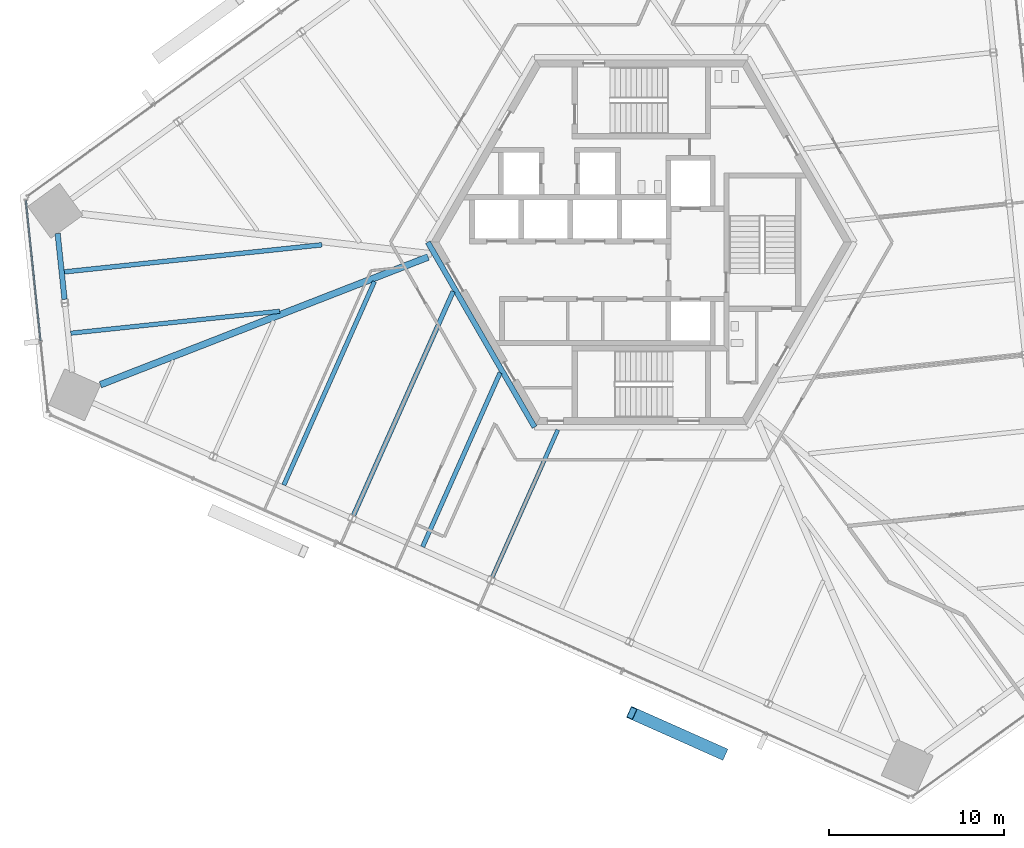
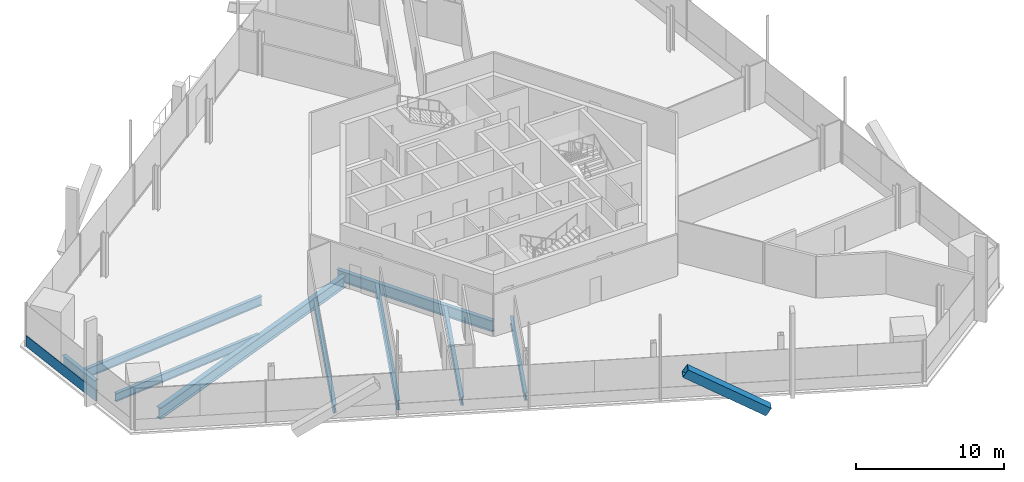
# One storey, part 4 of 21: 9 beams, 2 members, 1 element without a shape of its own.
"""IFC4 building model written with IfcOpenShell, lengths in metres."""

from ifc_helpers import new_model, si_unit, direction, frame, origin, origin_2d, place, context, subcontext, project, spatial, rectangle, hollow_rectangle, i_section, extrude, source, transform, mapped, material, material_profile, profile_set, type_object, element, aggregate, save


model = new_model("IFC4")

# Units and contexts
model_context = context("Model", 3, precision=1e-05, world=origin(), true_north=direction((0.0, 1.0)))
body_context = subcontext(model_context, "Body", "Model", "MODEL_VIEW")
ifc_project = project(units=[si_unit("LENGTHUNIT", "METRE"), si_unit("AREAUNIT", "SQUARE_METRE"), si_unit("VOLUMEUNIT", "CUBIC_METRE"), si_unit("PLANEANGLEUNIT", "RADIAN"), si_unit("MASSUNIT", "GRAM", prefix="KILO")], contexts=[model_context])

# Site, building, storey
site_placement = place(None, origin())
site = spatial("IfcSite", under=ifc_project, at=site_placement, CompositionType="ELEMENT")
building_placement = place(site_placement, origin())
building = spatial("IfcBuilding", under=site, at=building_placement, Name="Triune Harvest Tower", CompositionType="ELEMENT")
storey_placement = place(building_placement, frame((0.0, 0.0, 65.699951171875)))
storey = spatial("IfcBuildingStorey", under=building, at=storey_placement, Name="L15", CompositionType="ELEMENT", Elevation=65.699951171875)

# Beams
ifc_material_1 = material(Name="Steel ASTM A992 Gr 50", Category="steel")
ifc_material_profile_1 = material_profile(ifc_material_1, i_section(OverallWidth=0.3046875, OverallDepth=0.914306640625, WebThickness=0.0166015625, FlangeThickness=0.02587890625, at=origin_2d()), Name="W36x160")
ifc_profile_set_1 = profile_set([ifc_material_profile_1], Name="Steel ASTM A992 Gr 50")
beam_type_1 = type_object("IfcBeamType", Name="CG-1 Core ring girder W36x160", PredefinedType="BEAM", material=ifc_profile_set_1)
shared_shape_1 = source(origin(), body_context, "Body", "SweptSolid", [
    extrude(i_section(OverallWidth=0.3046875, OverallDepth=0.914306640625, WebThickness=0.0166015625, FlangeThickness=0.02587890625, at=origin_2d()), origin(), (0.0, 0.0, 1.0), 12.176025390625),
])
beam_1_placement = place(storey_placement, frame((-12.176025390625, 0.0, -0.6171875), z_axis=(0.5000099932, -0.866019634131, 0.0), x_axis=(0.866019634131, 0.5000099932, 0.0)))
element("IfcBeam", 1, at=beam_1_placement, inside=storey, type_object=beam_type_1, Name="beam/L15/CG4", PredefinedType="BEAM", context=body_context, shape_type="MappedRepresentation", body=[
    mapped(shared_shape_1, transform((0.0, 0.0, 0.0), scale=1.0)),
])
ifc_material_2 = material(Name="Steel ASTM A992 Gr 50", Category="steel")
ifc_material_profile_2 = material_profile(ifc_material_2, i_section(OverallWidth=0.3046875, OverallDepth=0.914306640625, WebThickness=0.0166015625, FlangeThickness=0.02587890625, at=origin_2d()), Name="W36x160")
ifc_profile_set_2 = profile_set([ifc_material_profile_2], Name="Steel ASTM A992 Gr 50")
beam_type_2 = type_object("IfcBeamType", Name="SB-1 Spandrel beam W36x160", PredefinedType="SPANDREL", material=ifc_profile_set_2)
shared_shape_2 = source(origin(), body_context, "Body", "SweptSolid", [
    extrude(i_section(OverallWidth=0.3046875, OverallDepth=0.914306640625, WebThickness=0.0166015625, FlangeThickness=0.02587890625, at=origin_2d()), origin(), (0.0, 0.0, 1.0), 3.775146484375),
])
beam_2_placement = place(storey_placement, frame((-33.28564453125, 0.497802734375, -0.6171875), z_axis=(0.104509725916, -0.994523864565, 0.0), x_axis=(0.994523864565, 0.104509725916, 0.0)))
element("IfcBeam", 2, at=beam_2_placement, inside=storey, type_object=beam_type_2, Name="beam/L15/SB15", PredefinedType="SPANDREL", context=body_context, shape_type="MappedRepresentation", body=[
    mapped(shared_shape_2, transform((0.0, 0.0, 0.0), scale=1.0)),
])
ifc_material_3 = material(Name="Steel ASTM A992 Gr 50", Category="steel")
ifc_material_profile_3 = material_profile(ifc_material_3, i_section(OverallWidth=0.383544921875, OverallDepth=0.9423828125, WebThickness=0.022216796875, FlangeThickness=0.039794921875, at=origin_2d()), Name="W36x232")
ifc_profile_set_3 = profile_set([ifc_material_profile_3], Name="Steel ASTM A992 Gr 50")
beam_type_3 = type_object("IfcBeamType", Name="HG-1 Hip girder W36x232", PredefinedType="BEAM", material=ifc_profile_set_3)
shared_shape_3 = source(origin(), body_context, "Body", "SweptSolid", [
    extrude(i_section(OverallWidth=0.383544921875, OverallDepth=0.9423828125, WebThickness=0.022216796875, FlangeThickness=0.039794921875, at=origin_2d()), origin(), (0.0, 0.0, 1.0), 20.054443359375),
])
beam_3_placement = place(storey_placement, frame((-30.84423828125, -8.12451171875, -0.631103515625), z_axis=(0.931737115777, 0.363133511374, 0.0), x_axis=(-0.363133511374, 0.931737115777, 0.0)))
element("IfcBeam", 3, at=beam_3_placement, inside=storey, type_object=beam_type_3, Name="beam/L15/HG6", PredefinedType="BEAM", context=body_context, shape_type="MappedRepresentation", body=[
    mapped(shared_shape_3, transform((0.0, 0.0, 0.0), scale=1.0)),
])
ifc_material_4 = material(Name="Steel ASTM A992 Gr 50", Category="steel")
ifc_material_profile_4 = material_profile(ifc_material_4, i_section(OverallWidth=0.253662109375, OverallDepth=0.683349609375, WebThickness=0.012451171875, FlangeThickness=0.01904296875, at=origin_2d()), Name="W27x94")
ifc_profile_set_4 = profile_set([ifc_material_profile_4], Name="Steel ASTM A992 Gr 50")
beam_type_4 = type_object("IfcBeamType", Name="JT-4 Floor joist W27x94", PredefinedType="JOIST", material=ifc_profile_set_4)
shared_shape_4 = source(origin(), body_context, "Body", "SweptSolid", [
    extrude(i_section(OverallWidth=0.253662109375, OverallDepth=0.683349609375, WebThickness=0.012451171875, FlangeThickness=0.01904296875, at=origin_2d()), origin(), (0.0, 0.0, 1.0), 10.864501953125),
])
beam_4_placement = place(storey_placement, frame((-12.473876953125, -17.3681640625, -0.50146484375), z_axis=(0.406757614722, 0.913536120176, 0.0), x_axis=(-0.913536120176, 0.406757614722, 0.0)))
element("IfcBeam", 4, at=beam_4_placement, inside=storey, type_object=beam_type_4, Name="beam/L15/JT31", PredefinedType="JOIST", context=body_context, shape_type="MappedRepresentation", body=[
    mapped(shared_shape_4, transform((0.0, 0.0, 0.0), scale=1.0)),
])
shared_shape_5 = source(origin(), body_context, "Body", "SweptSolid", [
    extrude(i_section(OverallWidth=0.253662109375, OverallDepth=0.683349609375, WebThickness=0.012451171875, FlangeThickness=0.01904296875, at=origin_2d()), origin(), (0.0, 0.0, 1.0), 12.701904296875),
])
beam_5_placement = place(storey_placement, frame((-20.38720703125, -13.844970703125, -0.50146484375), z_axis=(0.406748285801, 0.913540273879, 0.0), x_axis=(-0.913540273879, 0.406748285801, 0.0)))
element("IfcBeam", 5, at=beam_5_placement, inside=storey, type_object=beam_type_4, Name="beam/L15/JT29", PredefinedType="JOIST", context=body_context, shape_type="MappedRepresentation", body=[
    mapped(shared_shape_5, transform((0.0, 0.0, 0.0), scale=1.0)),
])
ifc_material_5 = material(Name="Steel ASTM A992 Gr 50", Category="steel")
ifc_material_profile_5 = material_profile(ifc_material_5, i_section(OverallWidth=0.2666015625, OverallDepth=0.7568359375, WebThickness=0.013916015625, FlangeThickness=0.019287109375, at=origin_2d()), Name="W30x108")
ifc_profile_set_5 = profile_set([ifc_material_profile_5], Name="Steel ASTM A992 Gr 50")
beam_type_5 = type_object("IfcBeamType", Name="JT-5 Floor joist W30x108", PredefinedType="JOIST", material=ifc_profile_set_5)
shared_shape_6 = source(origin(), body_context, "Body", "SweptSolid", [
    extrude(i_section(OverallWidth=0.2666015625, OverallDepth=0.7568359375, WebThickness=0.013916015625, FlangeThickness=0.019287109375, at=origin_2d()), origin(), (0.0, 0.0, 1.0), 14.7666015625),
])
beam_6_placement = place(storey_placement, frame((-32.90234375, -1.690673828125, -0.538330078125), z_axis=(0.994522471236, 0.10452298411, 0.0), x_axis=(-0.10452298411, 0.994522471236, 0.0)))
element("IfcBeam", 6, at=beam_6_placement, inside=storey, type_object=beam_type_5, Name="beam/L15/JT25", PredefinedType="JOIST", context=body_context, shape_type="MappedRepresentation", body=[
    mapped(shared_shape_6, transform((0.0, 0.0, 0.0), scale=1.0)),
])
shared_shape_7 = source(origin(), body_context, "Body", "SweptSolid", [
    extrude(i_section(OverallWidth=0.253662109375, OverallDepth=0.683349609375, WebThickness=0.012451171875, FlangeThickness=0.01904296875, at=origin_2d()), origin(), (0.0, 0.0, 1.0), 11.9775390625),
])
beam_7_placement = place(storey_placement, frame((-32.534912109375, -5.18701171875, -0.50146484375), z_axis=(0.994522193593, 0.104525625807, 0.0), x_axis=(-0.104525625807, 0.994522193593, 0.0)))
element("IfcBeam", 7, at=beam_7_placement, inside=storey, type_object=beam_type_4, Name="beam/L15/JT26", PredefinedType="JOIST", context=body_context, shape_type="MappedRepresentation", body=[
    mapped(shared_shape_7, transform((0.0, 0.0, 0.0), scale=1.0)),
])
shared_shape_8 = source(origin(), body_context, "Body", "SweptSolid", [
    extrude(i_section(OverallWidth=0.2666015625, OverallDepth=0.7568359375, WebThickness=0.013916015625, FlangeThickness=0.019287109375, at=origin_2d()), origin(), (0.0, 0.0, 1.0), 13.966796875),
])
beam_8_placement = place(storey_placement, frame((-16.412353515625, -15.56591796875, -0.538330078125), z_axis=(0.406743331023, 0.913542479948, 0.0), x_axis=(-0.913542479948, 0.406743331023, 0.0)))
element("IfcBeam", 8, at=beam_8_placement, inside=storey, type_object=beam_type_5, Name="beam/L15/JT30", PredefinedType="JOIST", context=body_context, shape_type="MappedRepresentation", body=[
    mapped(shared_shape_8, transform((0.0, 0.0, 0.0), scale=1.0)),
])
ifc_material_6 = material(Name="Steel ASTM A992 Gr 50", Category="steel")
ifc_material_profile_6 = material_profile(ifc_material_6, i_section(OverallWidth=0.22900390625, OverallDepth=0.612060546875, WebThickness=0.011962890625, FlangeThickness=0.01953125, at=origin_2d()), Name="W24x84")
ifc_profile_set_6 = profile_set([ifc_material_profile_6], Name="Steel ASTM A992 Gr 50")
beam_type_6 = type_object("IfcBeamType", Name="JT-3 Floor joist W24x84", PredefinedType="JOIST", material=ifc_profile_set_6)
shared_shape_9 = source(origin(), body_context, "Body", "SweptSolid", [
    extrude(i_section(OverallWidth=0.22900390625, OverallDepth=0.612060546875, WebThickness=0.011962890625, FlangeThickness=0.01953125, at=origin_2d()), origin(), (0.0, 0.0, 1.0), 9.1865234375),
])
beam_9_placement = place(storey_placement, frame((-8.4990234375, -19.08935546875, -0.466064453125), z_axis=(0.406720317643, 0.913552726019, 0.0), x_axis=(-0.913552726019, 0.406720317643, 0.0)))
element("IfcBeam", 9, at=beam_9_placement, inside=storey, type_object=beam_type_6, Name="beam/L15/JT32", PredefinedType="JOIST", context=body_context, shape_type="MappedRepresentation", body=[
    mapped(shared_shape_9, transform((0.0, 0.0, 0.0), scale=1.0)),
])

# Member
ifc_material_7 = material(Name="Steel ASTM A572 Gr 50", Category="steel")
ifc_material_profile_7 = material_profile(ifc_material_7, hollow_rectangle(XDim=0.699951171875, YDim=0.699951171875, WallThickness=0.0400390625, at=origin_2d()), Name="Box 700x700x40")
ifc_profile_set_7 = profile_set([ifc_material_profile_7], Name="Steel ASTM A572 Gr 50")
member_type_1 = type_object("IfcMemberType", Name="BR-1 Brace Box 700x700x40", PredefinedType="BRACE", material=ifc_profile_set_7)
shared_shape_10 = source(origin(), body_context, "Body", "SweptSolid", [
    extrude(hollow_rectangle(XDim=0.699951171875, YDim=0.699951171875, WallThickness=0.0400390625, at=origin_2d()), origin(), (0.0, 0.0, 1.0), 6.7021484375),
])
member_1_placement = place(storey_placement, frame((4.621826171875, -29.147705078125, 0.0), z_axis=(-0.77056979764, 0.343066387169, 0.537147690082), x_axis=(-0.406723393916, -0.913551356434, 0.0)))
element("IfcMember", 10, at=member_1_placement, inside=storey, type_object=member_type_1, Name="brace/B2-F5/d2/3", PredefinedType="BRACE", context=body_context, shape_type="MappedRepresentation", body=[
    mapped(shared_shape_10, transform((0.0, 0.0, 0.0), scale=1.0)),
])

# Curtain wall, member
ifc_material_8 = material(Name="Aluminium bronze anodised", Category="aluminium")
curtain_wall_type = type_object("IfcCurtainWallType", Name="CW-1 Tower stick curtain wall", PredefinedType="NOTDEFINED", material=ifc_material_8)
curtain_wall_placement = place(storey_placement, origin())
curtain_wall = element("IfcCurtainWall", 11, at=curtain_wall_placement, inside=storey, type_object=curtain_wall_type, Name="CW-1 B2-F4 L15 run 1")
ifc_material_9 = material(Name="Aluminium bronze anodised", Category="aluminium")
ifc_material_profile_8 = material_profile(ifc_material_9, rectangle(XDim=0.090087890625, YDim=0.89990234375, at=origin_2d()), Name="TR-1 transom 90 x 900")
ifc_profile_set_8 = profile_set([ifc_material_profile_8], Name="Aluminium bronze anodised")
member_type_2 = type_object("IfcMemberType", Name="TR-1 transom 90 x 900", PredefinedType="USERDEFINED", material=ifc_profile_set_8)
shared_shape_11 = source(origin(), body_context, "Body", "SweptSolid", [
    extrude(rectangle(XDim=0.090087890625, YDim=0.89990234375, at=origin_2d()), origin(), (0.0, 0.0, 1.0), 8.0341796875),
])
member_2_placement = place(storey_placement, frame((-35.09765625, 2.37939453125, 0.449951171875), z_axis=(0.104532929154, -0.994521425975, 0.0), x_axis=(0.994521425975, 0.104532929154, 0.0)))
member_2 = element("IfcMember", 12, at=member_2_placement, type_object=member_type_2, Name="CW-1 transom B2-F4 1.1", ObjectType="TRANSOM", PredefinedType="USERDEFINED", context=body_context, shape_type="MappedRepresentation", body=[
    mapped(shared_shape_11, transform((0.0, 0.0, 0.0), scale=1.0)),
])
aggregate(curtain_wall, [member_2])

save(model, "model.ifc")
